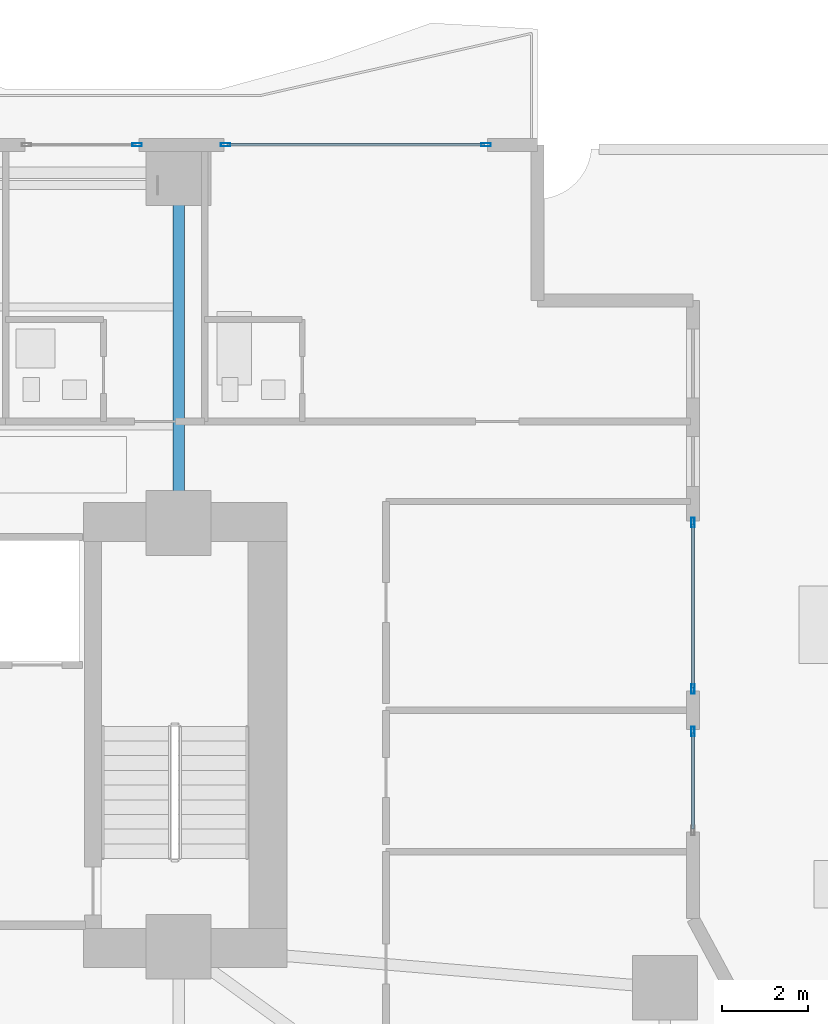
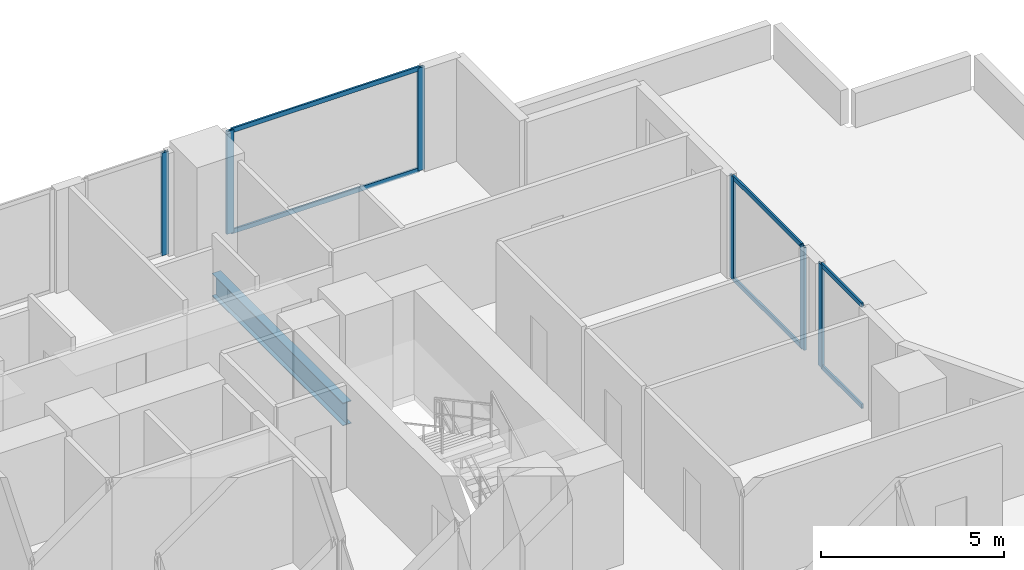
# One storey, part 16 of 30: 12 members, 1 beam, 4 elements without a shape of their own.
"""IFC4 building model written with IfcOpenShell, lengths in metres."""

from ifc_helpers import new_model, si_unit, direction, frame, origin, origin_2d, place, context, subcontext, project, spatial, hollow_rectangle, i_section, extrude, material, layer, layer_set, material_profile, profile_set, type_object, element, aggregate, save


model = new_model("IFC4")

# Units and contexts
model_context = context("Model", 3, precision=1e-05, world=origin(), true_north=direction((0.0, 1.0)))
body_context = subcontext(model_context, "Body", "Model", "MODEL_VIEW")
ifc_project = project(units=[si_unit("LENGTHUNIT", "METRE"), si_unit("AREAUNIT", "SQUARE_METRE"), si_unit("VOLUMEUNIT", "CUBIC_METRE"), si_unit("PLANEANGLEUNIT", "RADIAN"), si_unit("MASSUNIT", "GRAM", prefix="KILO")], contexts=[model_context])

# Site, building, storey
site_placement = place(None, origin())
site = spatial("IfcSite", under=ifc_project, at=site_placement, CompositionType="ELEMENT")
building_placement = place(site_placement, origin())
building = spatial("IfcBuilding", under=site, at=building_placement, Name="Zuhayl Quay Hotel", CompositionType="ELEMENT")
storey_placement = place(building_placement, frame((0.0, 0.0, 27.60009765625)))
storey = spatial("IfcBuildingStorey", under=building, at=storey_placement, Name="L05", CompositionType="ELEMENT", Elevation=27.60009765625)

# Beam
ifc_material_1 = material(Name="Steel ASTM A992 Grade 50", Category="steel")
ifc_material_profile_1 = material_profile(ifc_material_1, i_section(OverallWidth=0.26708984375, OverallDepth=0.761962890625, WebThickness=0.014404296875, FlangeThickness=0.021484375, at=origin_2d()), Name="W30X116")
ifc_profile_set_1 = profile_set([ifc_material_profile_1], Name="Steel ASTM A992 Grade 50")
beam_type = type_object("IfcBeamType", Name="BM_B1_W30X116", PredefinedType="BEAM", material=ifc_profile_set_1)
beam_placement = place(storey_placement, frame((13.800048828125, 14.800048828125, -0.60107421875), z_axis=(0.0, 1.0, 0.0), x_axis=(-1.0, 0.0, 0.0)))
element("IfcBeam", 1, at=beam_placement, inside=storey, type_object=beam_type, Name="L05 Floor Beam FG_N_L05_4", PredefinedType="BEAM", context=body_context, shape_type="SweptSolid", body=[
    extrude(i_section(OverallWidth=0.26708984375, OverallDepth=0.761962890625, WebThickness=0.014404296875, FlangeThickness=0.021484375, at=origin_2d()), origin(), (0.0, 0.0, 1.0), 7.14990234375),
])

# Curtain wall, member
ifc_material_2 = material(Name="Anodised Aluminium 6063-T6", Category="aluminium")
ifc_layer = layer(ifc_material_2, 0.18994140625, Name="Anodised Aluminium 6063-T6", Category="aluminium")
ifc_layer_set = layer_set([ifc_layer], Name="Anodised Aluminium 6063-T6")
curtain_wall_type = type_object("IfcCurtainWallType", Name="CW_SYS_Z1", PredefinedType="USERDEFINED", material=ifc_layer_set)
curtain_wall_1_placement = place(storey_placement, origin())
curtain_wall_1 = element("IfcCurtainWall", 2, at=curtain_wall_1_placement, inside=storey, type_object=curtain_wall_type, Name="L05 Curtain Wall ENV_L05_N_CW3", ObjectType="UNITISED CURTAIN WALL", PredefinedType="USERDEFINED")
ifc_material_3 = material(Name="Black-anodised aluminium 6063-T6", Category="aluminium")
ifc_material_profile_2 = material_profile(ifc_material_3, hollow_rectangle(XDim=0.074951171875, YDim=0.219970703125, WallThickness=0.00390625, at=origin_2d()), Name="ALU220X75")
ifc_profile_set_2 = profile_set([ifc_material_profile_2], Name="Black-anodised aluminium 6063-T6")
member_type_1 = type_object("IfcMemberType", Name="MB_CW_MUL_220", PredefinedType="MULLION", material=ifc_profile_set_2)
member_1_placement = place(storey_placement, frame((12.842529296875, 23.10009765625, 0.0), z_axis=(0.0, 0.0, 1.0), x_axis=(0.0, 1.0, 0.0)))
member_1 = element("IfcMember", 3, at=member_1_placement, type_object=member_type_1, Name="CW-Z1 mullion 2", PredefinedType="MULLION", context=body_context, shape_type="SweptSolid", body=[
    extrude(hollow_rectangle(XDim=0.074951171875, YDim=0.219970703125, WallThickness=0.00390625, at=origin_2d()), origin(), (0.0, 0.0, 1.0), 3.429931640625),
])
aggregate(curtain_wall_1, [member_1])

# Curtain wall, members
curtain_wall_2_placement = place(storey_placement, origin())
curtain_wall_2 = element("IfcCurtainWall", 4, at=curtain_wall_2_placement, inside=storey, type_object=curtain_wall_type, Name="L05 Curtain Wall ENV_L05_N_CW4", ObjectType="UNITISED CURTAIN WALL", PredefinedType="USERDEFINED")
member_2_placement = place(storey_placement, frame((14.887451171875, 23.10009765625, 0.0), z_axis=(0.0, 0.0, 1.0), x_axis=(0.0, 1.0, 0.0)))
member_2 = element("IfcMember", 5, at=member_2_placement, type_object=member_type_1, Name="CW-Z1 mullion 1", PredefinedType="MULLION", context=body_context, shape_type="SweptSolid", body=[
    extrude(hollow_rectangle(XDim=0.074951171875, YDim=0.219970703125, WallThickness=0.00390625, at=origin_2d()), origin(), (0.0, 0.0, 1.0), 3.429931640625),
])
member_3_placement = place(storey_placement, frame((20.91259765625, 23.10009765625, 0.0), z_axis=(0.0, 0.0, 1.0), x_axis=(0.0, 1.0, 0.0)))
member_3 = element("IfcMember", 6, at=member_3_placement, type_object=member_type_1, Name="CW-Z1 mullion 2", PredefinedType="MULLION", context=body_context, shape_type="SweptSolid", body=[
    extrude(hollow_rectangle(XDim=0.074951171875, YDim=0.219970703125, WallThickness=0.00390625, at=origin_2d()), origin(), (0.0, 0.0, 1.0), 3.429931640625),
])

curtain_wall_3_placement = place(storey_placement, origin())
curtain_wall_3 = element("IfcCurtainWall", 7, at=curtain_wall_3_placement, inside=storey, type_object=curtain_wall_type, Name="L05 Curtain Wall ENV_L05_E11_CW1", ObjectType="UNITISED CURTAIN WALL", PredefinedType="USERDEFINED")
member_4_placement = place(storey_placement, frame((25.699951171875, 14.362548828125, 0.0), z_axis=(0.0, 0.0, 1.0), x_axis=(1.0, 0.0, 0.0)))
member_4 = element("IfcMember", 8, at=member_4_placement, type_object=member_type_1, Name="CW-Z1 mullion 1", PredefinedType="MULLION", context=body_context, shape_type="SweptSolid", body=[
    extrude(hollow_rectangle(XDim=0.074951171875, YDim=0.219970703125, WallThickness=0.00390625, at=origin_2d()), origin(), (0.0, 0.0, 1.0), 3.429931640625),
])
member_5_placement = place(storey_placement, frame((25.699951171875, 10.507568359375, 0.0), z_axis=(0.0, 0.0, 1.0), x_axis=(1.0, 0.0, 0.0)))
member_5 = element("IfcMember", 9, at=member_5_placement, type_object=member_type_1, Name="CW-Z1 mullion 2", PredefinedType="MULLION", context=body_context, shape_type="SweptSolid", body=[
    extrude(hollow_rectangle(XDim=0.074951171875, YDim=0.219970703125, WallThickness=0.00390625, at=origin_2d()), origin(), (0.0, 0.0, 1.0), 3.429931640625),
])

# Curtain wall, member
curtain_wall_4_placement = place(storey_placement, origin())
curtain_wall_4 = element("IfcCurtainWall", 10, at=curtain_wall_4_placement, inside=storey, type_object=curtain_wall_type, Name="L05 Curtain Wall ENV_L05_E11_CW2", ObjectType="UNITISED CURTAIN WALL", PredefinedType="USERDEFINED")
member_6_placement = place(storey_placement, frame((25.699951171875, 9.532470703125, 0.0), z_axis=(0.0, 0.0, 1.0), x_axis=(1.0, 0.0, 0.0)))
member_6 = element("IfcMember", 11, at=member_6_placement, type_object=member_type_1, Name="CW-Z1 mullion 1", PredefinedType="MULLION", context=body_context, shape_type="SweptSolid", body=[
    extrude(hollow_rectangle(XDim=0.074951171875, YDim=0.219970703125, WallThickness=0.00390625, at=origin_2d()), origin(), (0.0, 0.0, 1.0), 3.429931640625),
])

# Member
ifc_material_profile_3 = material_profile(ifc_material_3, hollow_rectangle(XDim=0.06005859375, YDim=0.14990234375, WallThickness=0.00341796875, at=origin_2d()), Name="ALU150X60")
ifc_profile_set_3 = profile_set([ifc_material_profile_3], Name="Black-anodised aluminium 6063-T6")
member_type_2 = type_object("IfcMemberType", Name="MB_CW_TRN_150", PredefinedType="USERDEFINED", material=ifc_profile_set_3)
member_7_placement = place(storey_placement, frame((14.925048828125, 23.10009765625, 0.02978515625), z_axis=(1.0, 0.0, 0.0), x_axis=(0.0, 1.0, 0.0)))
member_7 = element("IfcMember", 12, at=member_7_placement, type_object=member_type_2, Name="CW-Z1 transom 1.1", ObjectType="TRANSOM", PredefinedType="USERDEFINED", context=body_context, shape_type="SweptSolid", body=[
    extrude(hollow_rectangle(XDim=0.06005859375, YDim=0.14990234375, WallThickness=0.00341796875, at=origin_2d()), origin(), (0.0, 0.0, 1.0), 5.949951171875),
])

member_8_placement = place(storey_placement, frame((14.925048828125, 23.10009765625, 3.39990234375), z_axis=(1.0, 0.0, 0.0), x_axis=(0.0, 1.0, 0.0)))
member_8 = element("IfcMember", 13, at=member_8_placement, type_object=member_type_2, Name="CW-Z1 transom 1.2", ObjectType="TRANSOM", PredefinedType="USERDEFINED", context=body_context, shape_type="SweptSolid", body=[
    extrude(hollow_rectangle(XDim=0.06005859375, YDim=0.14990234375, WallThickness=0.00341796875, at=origin_2d()), origin(), (0.0, 0.0, 1.0), 5.949951171875),
])

aggregate(curtain_wall_2, [member_2, member_3, member_7, member_8])

member_9_placement = place(storey_placement, frame((25.699951171875, 14.324951171875, 0.02978515625), z_axis=(0.0, -1.0, 0.0), x_axis=(1.0, 0.0, 0.0)))
member_9 = element("IfcMember", 14, at=member_9_placement, type_object=member_type_2, Name="CW-Z1 transom 1.1", ObjectType="TRANSOM", PredefinedType="USERDEFINED", context=body_context, shape_type="SweptSolid", body=[
    extrude(hollow_rectangle(XDim=0.06005859375, YDim=0.14990234375, WallThickness=0.00341796875, at=origin_2d()), origin(), (0.0, 0.0, 1.0), 3.780029296875),
])

member_10_placement = place(storey_placement, frame((25.699951171875, 14.324951171875, 3.39990234375), z_axis=(0.0, -1.0, 0.0), x_axis=(1.0, 0.0, 0.0)))
member_10 = element("IfcMember", 15, at=member_10_placement, type_object=member_type_2, Name="CW-Z1 transom 1.2", ObjectType="TRANSOM", PredefinedType="USERDEFINED", context=body_context, shape_type="SweptSolid", body=[
    extrude(hollow_rectangle(XDim=0.06005859375, YDim=0.14990234375, WallThickness=0.00341796875, at=origin_2d()), origin(), (0.0, 0.0, 1.0), 3.780029296875),
])

aggregate(curtain_wall_3, [member_4, member_5, member_9, member_10])

member_11_placement = place(storey_placement, frame((25.699951171875, 9.4951171875, 0.02978515625), z_axis=(0.0, -1.0, 0.0), x_axis=(1.0, 0.0, 0.0)))
member_11 = element("IfcMember", 16, at=member_11_placement, type_object=member_type_2, Name="CW-Z1 transom 1.1", ObjectType="TRANSOM", PredefinedType="USERDEFINED", context=body_context, shape_type="SweptSolid", body=[
    extrude(hollow_rectangle(XDim=0.06005859375, YDim=0.14990234375, WallThickness=0.00341796875, at=origin_2d()), origin(), (0.0, 0.0, 1.0), 2.22021484375),
])

member_12_placement = place(storey_placement, frame((25.699951171875, 9.4951171875, 3.39990234375), z_axis=(0.0, -1.0, 0.0), x_axis=(1.0, 0.0, 0.0)))
member_12 = element("IfcMember", 17, at=member_12_placement, type_object=member_type_2, Name="CW-Z1 transom 1.2", ObjectType="TRANSOM", PredefinedType="USERDEFINED", context=body_context, shape_type="SweptSolid", body=[
    extrude(hollow_rectangle(XDim=0.06005859375, YDim=0.14990234375, WallThickness=0.00341796875, at=origin_2d()), origin(), (0.0, 0.0, 1.0), 2.22021484375),
])

aggregate(curtain_wall_4, [member_6, member_11, member_12])

save(model, "model.ifc")
